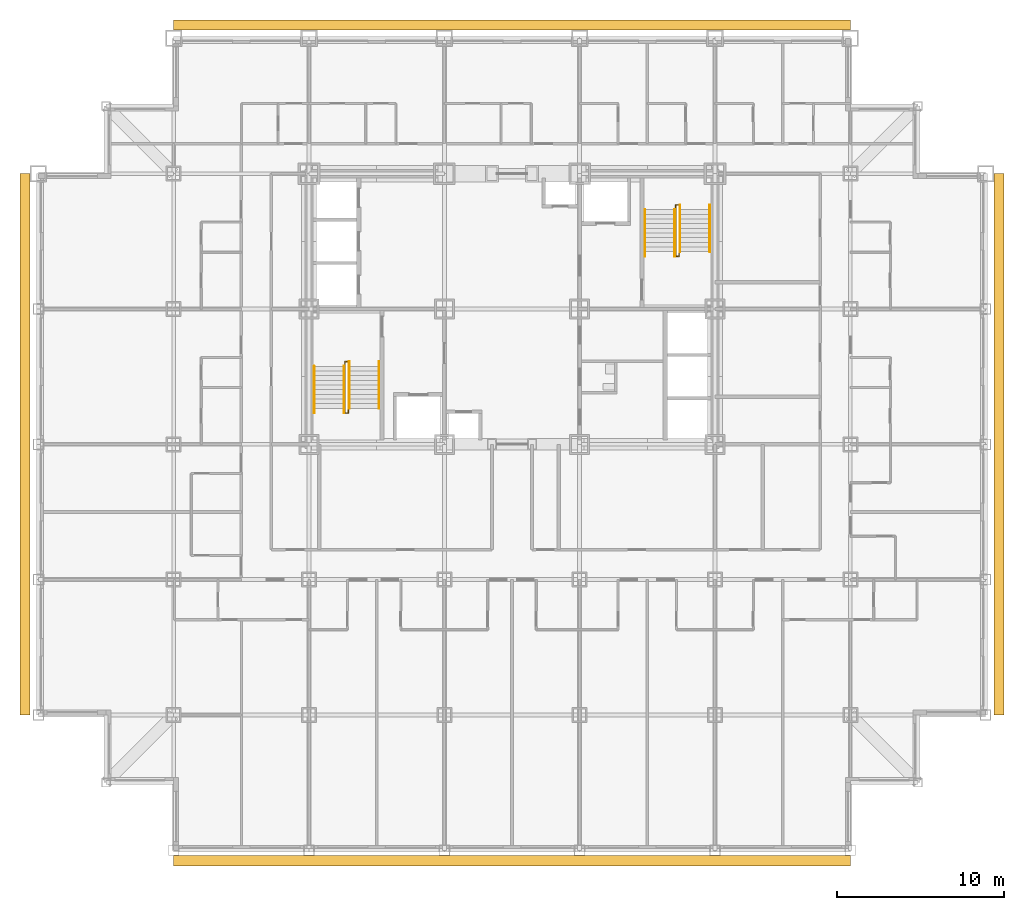
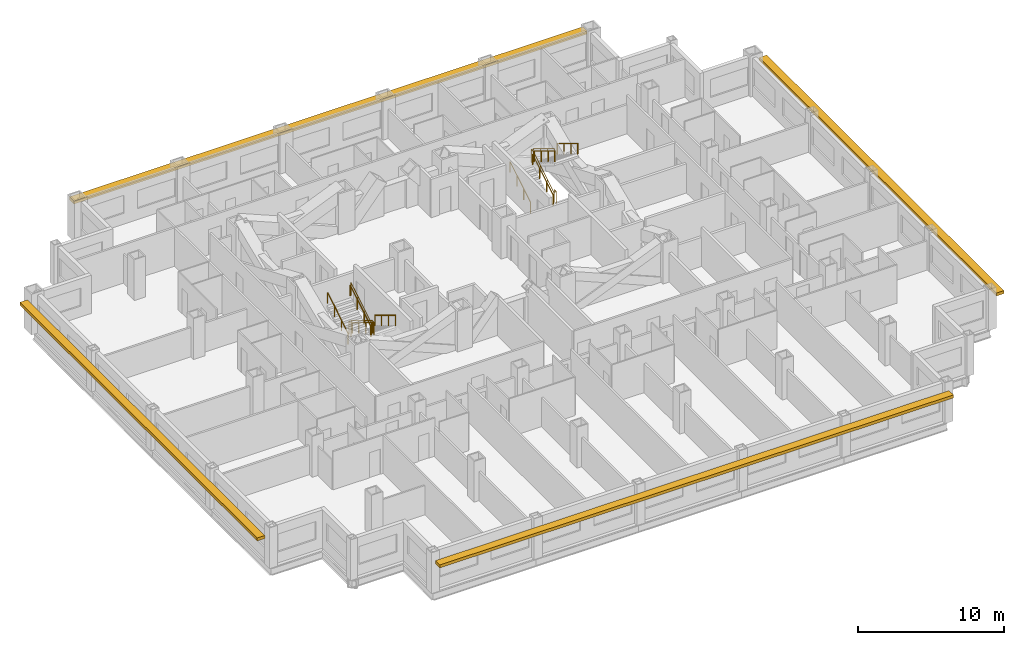
# One storey, part 11 of 12: 10 railings, 4 shading devices.
"""IFC4 building model written with IfcOpenShell, lengths in metres."""

import ifcopenshell
import ifcopenshell.guid

model = None  # the IFC model being written
_history = None  # IfcOwnerHistory: only IFC2X3 demands one
_inside = {}  # id of a spatial element -> (the spatial element, [elements in it])
_under = {}  # id of a project, library or spatial element -> (it, [spatial elements below it])
_declared = {}  # id of a project -> (the project, [libraries it declares])
_typed = {}  # id of a type object -> (the type object, [elements of that type])
_made_of = {}  # id of a material, layer set ... -> (it, [elements and type objects made of it])


def new_model(schema):
    """Start an empty IFC model of exactly this schema.

    Asked for "IFC4X3", IfcOpenShell would pick the latest addendum, in which some entities
    have other attributes; the version numbers below select the first issue.
    IFC2X3 requires an IfcOwnerHistory on every rooted entity: one is made here for all.
    """
    global model, _history
    if schema == "IFC4X3":
        model = ifcopenshell.file(schema_version=(4, 3, 0, 0))
    else:
        model = ifcopenshell.file(schema=schema)
    _inside.clear()
    _under.clear()
    _declared.clear()
    _typed.clear()
    _made_of.clear()
    _history = None
    if model.schema == "IFC2X3":
        org = make("IfcOrganization", Name="unknown")
        user = make(
            "IfcPersonAndOrganization",
            ThePerson=make("IfcPerson", FamilyName="unknown"),
            TheOrganization=org,
        )
        app = make(
            "IfcApplication",
            ApplicationDeveloper=org,
            Version="unknown",
            ApplicationFullName="unknown",
            ApplicationIdentifier="unknown",
        )
        _history = make(
            "IfcOwnerHistory",
            OwningUser=user,
            OwningApplication=app,
            ChangeAction="ADDED",
            CreationDate=0,
        )
    return model


def make(cls, **values):
    """One entity of the class cls with the attributes given. An attribute that is None is left unset."""
    return model.create_entity(
        cls, **{name: value for name, value in values.items() if value is not None}
    )


def rooted(cls, **values):
    """An entity with a GlobalId (a new one), such as an element, a storey or a relation."""
    return make(cls, GlobalId=ifcopenshell.guid.new(), OwnerHistory=_history, **values)


def si_unit(unit_type, name, prefix=None):
    """IfcSIUnit, for example si_unit("LENGTHUNIT", "METRE", prefix="MILLI")."""
    return make("IfcSIUnit", UnitType=unit_type, Prefix=prefix, Name=name)


def assignment(units):
    """IfcUnitAssignment: the units of a project."""
    return None if units is None else make("IfcUnitAssignment", Units=units)


def point(xyz):
    """IfcCartesianPoint."""
    return None if xyz is None else make("IfcCartesianPoint", Coordinates=xyz)


def direction(xyz):
    """IfcDirection."""
    return None if xyz is None else make("IfcDirection", DirectionRatios=xyz)


def frame(location, z_axis=None, x_axis=None):
    """IfcAxis2Placement3D, a coordinate frame: its origin and axes. An axis left out is left unset."""
    return make(
        "IfcAxis2Placement3D",
        Location=point(location),
        Axis=direction(z_axis),
        RefDirection=direction(x_axis),
    )


def frame_2d(location, x_axis=None):
    """IfcAxis2Placement2D, a coordinate frame in the plane: its origin and x axis."""
    return make(
        "IfcAxis2Placement2D", Location=point(location), RefDirection=direction(x_axis)
    )


def origin():
    """The frame at (0, 0, 0) with its axes left unset."""
    return frame((0.0, 0.0, 0.0))


def origin_2d():
    """The frame at (0, 0) in the plane with its x axis left unset."""
    return frame_2d((0.0, 0.0))


def place(relative_to, where):
    """IfcLocalPlacement: puts the frame where relative to a parent placement (None: the world)."""
    return make(
        "IfcLocalPlacement", PlacementRelTo=relative_to, RelativePlacement=where
    )


def context(
    kind, dimensions, precision=None, world=None, true_north=None, identifier=None
):
    """IfcGeometricRepresentationContext, for example the 3D "Model" context."""
    return make(
        "IfcGeometricRepresentationContext",
        ContextIdentifier=identifier,
        ContextType=kind,
        CoordinateSpaceDimension=dimensions,
        Precision=precision,
        WorldCoordinateSystem=world,
        TrueNorth=true_north,
    )


def subcontext(parent, identifier, kind, view, scale=None):
    """IfcGeometricRepresentationSubContext, for example "Body" below "Model"."""
    return make(
        "IfcGeometricRepresentationSubContext",
        ContextIdentifier=identifier,
        ContextType=kind,
        ParentContext=parent,
        TargetScale=scale,
        TargetView=view,
    )


def project(units=None, contexts=None):
    """IfcProject with its units and contexts."""
    return rooted(
        "IfcProject",
        Name="project",
        RepresentationContexts=contexts,
        UnitsInContext=assignment(units),
    )


def spatial(cls, under=None, at=None, **own):
    """A site, building, storey or space (cls), placed at a placement, below another one or the project."""
    s = rooted(cls, ObjectPlacement=at, **own)
    if under is not None:
        _under.setdefault(under.id(), (under, []))[1].append(s)
    return s


def profile(cls, at=None, kind="AREA", **sizes):
    """A parametric profile (cls). Its sizes go by their IFC names, for example OverallWidth=200.0."""
    return make(cls, ProfileType=kind, Position=at, **sizes)


def rectangle(**sizes):
    """IfcRectangleProfileDef."""
    return profile("IfcRectangleProfileDef", **sizes)


def circle(**sizes):
    """IfcCircleProfileDef."""
    return profile("IfcCircleProfileDef", **sizes)


def extrude(swept, where, along, depth):
    """IfcExtrudedAreaSolid: the profile swept, set in the frame where, extruded along a direction by depth."""
    return make(
        "IfcExtrudedAreaSolid",
        SweptArea=swept,
        Position=where,
        ExtrudedDirection=direction(along),
        Depth=depth,
    )


def shape(context_of_items, identifier, shape_type, items):
    """IfcShapeRepresentation: the items that make up one representation, for example the "Body"."""
    return make(
        "IfcShapeRepresentation",
        ContextOfItems=context_of_items,
        RepresentationIdentifier=identifier,
        RepresentationType=shape_type,
        Items=items,
    )


def material(Name=None, Category=None):
    """IfcMaterial."""
    return make("IfcMaterial", Name=Name, Category=Category)


def made_of(thing, what):
    """Note that an element or type object is made of a material, layer set ...; save() writes the relation."""
    if what is not None:
        _made_of.setdefault(what.id(), (what, []))[1].append(thing)
    return thing


def type_object(cls, material=None, **own):
    """A type object (cls), such as IfcWallType, which elements share."""
    return made_of(rooted(cls, **own), material)


def element(
    cls,
    number,
    at=None,
    inside=None,
    cuts=None,
    type_object=None,
    material=None,
    context=None,
    identifier="Body",
    shape_type=None,
    held_by="IfcProductDefinitionShape",
    body=None,
    shapes=None,
    **own,
):
    """One element of the class cls, such as IfcWall. Its Tag is "e" and its number.

    at: its placement. inside: the storey or other place that contains it. cuts: it is an
    opening in that element (IfcRelVoidsElement). A single representation is given by context,
    identifier, shape_type and body (its items); several are given by shapes. held_by: the class
    of the entity that holds the representations. save() writes the other relations.
    """
    e = rooted(cls, Tag="e%d" % number, ObjectPlacement=at, **own)
    if body is not None:
        shapes = [shape(context, identifier, shape_type, body)]
    if shapes is not None:
        e.Representation = make(held_by, Representations=shapes)
    if inside is not None:
        _inside.setdefault(inside.id(), (inside, []))[1].append(e)
    if cuts is not None:
        rooted(
            "IfcRelVoidsElement", RelatingBuildingElement=cuts, RelatedOpeningElement=e
        )
    if type_object is not None:
        _typed.setdefault(type_object.id(), (type_object, []))[1].append(e)
    return made_of(e, material)


def aggregate(whole, parts):
    """IfcRelAggregates: a whole, such as a stair, and the parts it consists of."""
    return rooted("IfcRelAggregates", RelatingObject=whole, RelatedObjects=parts)


def save(model, path):
    """Write the relations noted so far, then the file.

    IfcRelAggregates (storeys below a building ...), IfcRelContainedInSpatialStructure (elements
    in a storey), IfcRelDefinesByType, IfcRelAssociatesMaterial and IfcRelDeclares: one each for
    every whole, place, type object, material and project.
    """
    for whole, parts in _under.values():
        aggregate(whole, parts)
    for where, things in _inside.values():
        rooted(
            "IfcRelContainedInSpatialStructure",
            RelatedElements=things,
            RelatingStructure=where,
        )
    for kind, things in _typed.values():
        rooted("IfcRelDefinesByType", RelatedObjects=things, RelatingType=kind)
    for what, things in _made_of.values():
        rooted("IfcRelAssociatesMaterial", RelatedObjects=things, RelatingMaterial=what)
    for by, libraries in _declared.values():
        rooted("IfcRelDeclares", RelatingContext=by, RelatedDefinitions=libraries)
    model.write(path)


model = new_model("IFC4")

# Units and contexts
model_context = context("Model", 3, precision=1e-05, world=origin(), true_north=direction((0.0, 1.0)))
body_context = subcontext(model_context, "Body", "Model", "MODEL_VIEW")
ifc_project = project(units=[si_unit("LENGTHUNIT", "METRE"), si_unit("AREAUNIT", "SQUARE_METRE"), si_unit("VOLUMEUNIT", "CUBIC_METRE"), si_unit("PLANEANGLEUNIT", "RADIAN"), si_unit("MASSUNIT", "GRAM", prefix="KILO")], contexts=[model_context])

# Site, building, storey
site_placement = place(None, origin())
site = spatial("IfcSite", under=ifc_project, at=site_placement, CompositionType="ELEMENT")
building_placement = place(site_placement, origin())
building = spatial("IfcBuilding", under=site, at=building_placement, Name="Kopane Lantern Tower", CompositionType="ELEMENT")
storey_placement = place(building_placement, frame((0.0, 0.0, 77.199951171875)))
storey = spatial("IfcBuildingStorey", under=building, at=storey_placement, Name="L19", CompositionType="ELEMENT", Elevation=77.199951171875)

# Railings
ifc_material_1 = material(Name="Steel", Category="steel")
railing_type_1 = type_object("IfcRailingType", Name="STAIR GUARD 1100", PredefinedType="GUARDRAIL", material=ifc_material_1)
railing_1_placement = place(storey_placement, frame((18.35009765625, 28.969970703125, 0.0)))
element("IfcRailing", 1, at=railing_1_placement, inside=storey, type_object=railing_type_1, Name="ST1 well guard L19", PredefinedType="GUARDRAIL", context=body_context, shape_type="SweptSolid", body=[
    extrude(circle(Radius=0.02392578125, at=origin_2d()), frame((0.0, 0.0, 1.076171875), z_axis=(0.0, 1.0, 0.0), x_axis=(-1.0, 0.0, 0.0)), (0.0, 0.0, 1.0), 0.280029296875),
    extrude(circle(Radius=0.02392578125, at=origin_2d()), frame((0.0, 0.280029296875, 1.076171875), z_axis=(1.0, 0.0, 0.0), x_axis=(0.0, 1.0, 0.0)), (0.0, 0.0, 1.0), 0.199951171875),
    extrude(circle(Radius=0.02392578125, at=origin_2d()), frame((0.199951171875, 0.280029296875, 1.076171875), z_axis=(0.0, -0.854798142509, 0.518960630071), x_axis=(1.0, 0.0, 0.0)), (0.0, 0.0, 1.0), 3.275634765625),
    extrude(circle(Radius=0.02392578125, at=origin_2d()), frame((0.199951171875, -2.52001953125, 2.77587890625), z_axis=(0.0, -1.0, 0.0), x_axis=(1.0, 0.0, 0.0)), (0.0, 0.0, 1.0), 0.280029296875),
    extrude(circle(Radius=0.02392578125, at=origin_2d()), frame((0.199951171875, -2.800048828125, 2.77587890625), z_axis=(-1.0, 0.0, 0.0), x_axis=(0.0, -1.0, 0.0)), (0.0, 0.0, 1.0), 0.199951171875),
    extrude(circle(Radius=0.02392578125, at=origin_2d()), frame((0.0, -2.800048828125, 2.77587890625), z_axis=(0.0, 0.854765079529, 0.519015085347), x_axis=(-1.0, 0.0, 0.0)), (0.0, 0.0, 1.0), 3.27587890625),
    extrude(circle(Radius=0.02099609375, at=origin_2d()), origin(), (0.0, 0.0, 1.0), 1.052001953125),
    extrude(circle(Radius=0.02099609375, at=origin_2d()), frame((0.0, 0.280029296875, 0.0)), (0.0, 0.0, 1.0), 1.052001953125),
    extrude(circle(Radius=0.02099609375, at=origin_2d()), frame((0.199951171875, 0.280029296875, 0.0)), (0.0, 0.0, 1.0), 1.052001953125),
    extrude(circle(Radius=0.02099609375, at=origin_2d()), frame((0.199951171875, -0.6533203125, 0.566650390625)), (0.0, 0.0, 1.0), 1.052001953125),
    extrude(circle(Radius=0.02099609375, at=origin_2d()), frame((0.199951171875, -1.586669921875, 1.13330078125)), (0.0, 0.0, 1.0), 1.052001953125),
    extrude(circle(Radius=0.02099609375, at=origin_2d()), frame((0.199951171875, -2.52001953125, 1.699951171875)), (0.0, 0.0, 1.0), 1.052001953125),
    extrude(circle(Radius=0.02099609375, at=origin_2d()), frame((0.199951171875, -2.800048828125, 1.699951171875)), (0.0, 0.0, 1.0), 1.052001953125),
    extrude(circle(Radius=0.02099609375, at=origin_2d()), frame((0.0, -2.800048828125, 1.699951171875)), (0.0, 0.0, 1.0), 1.052001953125),
    extrude(circle(Radius=0.02099609375, at=origin_2d()), frame((0.0, -1.86669921875, 2.2666015625)), (0.0, 0.0, 1.0), 1.052001953125),
    extrude(circle(Radius=0.02099609375, at=origin_2d()), frame((0.0, -0.933349609375, 2.83349609375)), (0.0, 0.0, 1.0), 1.052001953125),
    extrude(circle(Radius=0.02099609375, at=origin_2d()), frame((0.0, 0.0, 3.400146484375)), (0.0, 0.0, 1.0), 1.052001953125),
])
railing_2_placement = place(storey_placement, frame((38.35009765625, 35.830078125, 0.0)))
element("IfcRailing", 2, at=railing_2_placement, inside=storey, type_object=railing_type_1, Name="ST2 well guard L19", PredefinedType="GUARDRAIL", context=body_context, shape_type="SweptSolid", body=[
    extrude(circle(Radius=0.02392578125, at=origin_2d()), frame((0.0, 0.0, 1.076171875), z_axis=(0.0, -1.0, 0.0), x_axis=(1.0, 0.0, 0.0)), (0.0, 0.0, 1.0), 0.280029296875),
    extrude(circle(Radius=0.02392578125, at=origin_2d()), frame((0.0, -0.280029296875, 1.076171875), z_axis=(-1.0, 0.0, 0.0), x_axis=(0.0, -1.0, 0.0)), (0.0, 0.0, 1.0), 0.2001953125),
    extrude(circle(Radius=0.02392578125, at=origin_2d()), frame((-0.2001953125, -0.280029296875, 1.076171875), z_axis=(0.0, 0.854798142509, 0.518960630071), x_axis=(-1.0, 0.0, 0.0)), (0.0, 0.0, 1.0), 3.275634765625),
    extrude(circle(Radius=0.02392578125, at=origin_2d()), frame((-0.2001953125, 2.52001953125, 2.77587890625), z_axis=(0.0, 1.0, 0.0), x_axis=(-1.0, 0.0, 0.0)), (0.0, 0.0, 1.0), 0.27978515625),
    extrude(circle(Radius=0.02392578125, at=origin_2d()), frame((-0.2001953125, 2.7998046875, 2.77587890625), z_axis=(1.0, 0.0, 0.0), x_axis=(0.0, 1.0, 0.0)), (0.0, 0.0, 1.0), 0.2001953125),
    extrude(circle(Radius=0.02392578125, at=origin_2d()), frame((0.0, 2.7998046875, 2.77587890625), z_axis=(0.0, -0.854745001426, 0.5190481505), x_axis=(1.0, 0.0, 0.0)), (0.0, 0.0, 1.0), 3.275634765625),
    extrude(circle(Radius=0.02099609375, at=origin_2d()), origin(), (0.0, 0.0, 1.0), 1.052001953125),
    extrude(circle(Radius=0.02099609375, at=origin_2d()), frame((0.0, -0.280029296875, 0.0)), (0.0, 0.0, 1.0), 1.052001953125),
    extrude(circle(Radius=0.02099609375, at=origin_2d()), frame((-0.2001953125, -0.280029296875, 0.0)), (0.0, 0.0, 1.0), 1.052001953125),
    extrude(circle(Radius=0.02099609375, at=origin_2d()), frame((-0.2001953125, 0.6533203125, 0.566650390625)), (0.0, 0.0, 1.0), 1.052001953125),
    extrude(circle(Radius=0.02099609375, at=origin_2d()), frame((-0.2001953125, 1.586669921875, 1.13330078125)), (0.0, 0.0, 1.0), 1.052001953125),
    extrude(circle(Radius=0.02099609375, at=origin_2d()), frame((-0.2001953125, 2.52001953125, 1.699951171875)), (0.0, 0.0, 1.0), 1.052001953125),
    extrude(circle(Radius=0.02099609375, at=origin_2d()), frame((-0.2001953125, 2.7998046875, 1.699951171875)), (0.0, 0.0, 1.0), 1.052001953125),
    extrude(circle(Radius=0.02099609375, at=origin_2d()), frame((0.0, 2.7998046875, 1.699951171875)), (0.0, 0.0, 1.0), 1.052001953125),
    extrude(circle(Radius=0.02099609375, at=origin_2d()), frame((0.0, 1.866455078125, 2.2666015625)), (0.0, 0.0, 1.0), 1.052001953125),
    extrude(circle(Radius=0.02099609375, at=origin_2d()), frame((0.0, 0.933349609375, 2.83349609375)), (0.0, 0.0, 1.0), 1.052001953125),
    extrude(circle(Radius=0.02099609375, at=origin_2d()), frame((0.0, 0.0, 3.400146484375)), (0.0, 0.0, 1.0), 1.052001953125),
])
ifc_material_2 = material(Name="Steel", Category="steel")
railing_type_2 = type_object("IfcRailingType", Name="STAIR HANDRAIL 900", PredefinedType="HANDRAIL", material=ifc_material_2)
for number, where, name in (
    (3, (20.389892578125, 29.25, 0.0), "ST1 handrail L19 flight 1"),
    (4, (18.610107421875, 29.25, 0.0), "ST1 handrail L19 flight 1"),
):
    element("IfcRailing", number, at=place(storey_placement, frame(where)), inside=storey, type_object=railing_type_2, Name=name, PredefinedType="HANDRAIL", context=body_context, shape_type="SweptSolid", body=[
        extrude(circle(Radius=0.02392578125, at=origin_2d()), frame((0.0, 0.0, 0.8759765625), z_axis=(0.0, -0.854798142509, 0.518960630071), x_axis=(1.0, 0.0, 0.0)), (0.0, 0.0, 1.0), 3.275634765625),
        extrude(circle(Radius=0.02099609375, at=origin_2d()), origin(), (0.0, 0.0, 1.0), 0.851806640625),
        extrude(circle(Radius=0.02099609375, at=origin_2d()), frame((0.0, -0.933349609375, 0.566650390625)), (0.0, 0.0, 1.0), 0.851806640625),
        extrude(circle(Radius=0.02099609375, at=origin_2d()), frame((0.0, -1.86669921875, 1.13330078125)), (0.0, 0.0, 1.0), 0.851806640625),
        extrude(circle(Radius=0.02099609375, at=origin_2d()), frame((0.0, -2.800048828125, 1.699951171875)), (0.0, 0.0, 1.0), 0.851806640625),
    ])
for number, where, name in (
    (5, (16.510009765625, 26.169921875, 1.699951171875), "ST1 handrail L19 flight 2"),
    (6, (18.2900390625, 26.169921875, 1.699951171875), "ST1 handrail L19 flight 2"),
):
    element("IfcRailing", number, at=place(storey_placement, frame(where)), inside=storey, type_object=railing_type_2, Name=name, PredefinedType="HANDRAIL", context=body_context, shape_type="SweptSolid", body=[
        extrude(circle(Radius=0.02392578125, at=origin_2d()), frame((0.0, 0.0, 0.8759765625), z_axis=(0.0, 0.854765079529, 0.519015085347), x_axis=(-1.0, 0.0, 0.0)), (0.0, 0.0, 1.0), 3.27587890625),
        extrude(circle(Radius=0.02099609375, at=origin_2d()), origin(), (0.0, 0.0, 1.0), 0.851806640625),
        extrude(circle(Radius=0.02099609375, at=origin_2d()), frame((0.0, 0.933349609375, 0.566650390625)), (0.0, 0.0, 1.0), 0.851806640625),
        extrude(circle(Radius=0.02099609375, at=origin_2d()), frame((0.0, 1.86669921875, 1.133544921875)), (0.0, 0.0, 1.0), 0.851806640625),
        extrude(circle(Radius=0.02099609375, at=origin_2d()), frame((0.0, 2.800048828125, 1.7001953125)), (0.0, 0.0, 1.0), 0.851806640625),
    ])
for number, where, name in (
    (7, (36.31005859375, 35.550048828125, 0.0), "ST2 handrail L19 flight 1"),
    (8, (38.090087890625, 35.550048828125, 0.0), "ST2 handrail L19 flight 1"),
):
    element("IfcRailing", number, at=place(storey_placement, frame(where)), inside=storey, type_object=railing_type_2, Name=name, PredefinedType="HANDRAIL", context=body_context, shape_type="SweptSolid", body=[
        extrude(circle(Radius=0.02392578125, at=origin_2d()), frame((0.0, 0.0, 0.8759765625), z_axis=(0.0, 0.854798142509, 0.518960630071), x_axis=(-1.0, 0.0, 0.0)), (0.0, 0.0, 1.0), 3.275634765625),
        extrude(circle(Radius=0.02099609375, at=origin_2d()), origin(), (0.0, 0.0, 1.0), 0.851806640625),
        extrude(circle(Radius=0.02099609375, at=origin_2d()), frame((0.0, 0.933349609375, 0.566650390625)), (0.0, 0.0, 1.0), 0.851806640625),
        extrude(circle(Radius=0.02099609375, at=origin_2d()), frame((0.0, 1.86669921875, 1.13330078125)), (0.0, 0.0, 1.0), 0.851806640625),
        extrude(circle(Radius=0.02099609375, at=origin_2d()), frame((0.0, 2.800048828125, 1.699951171875)), (0.0, 0.0, 1.0), 0.851806640625),
    ])
for number, where, name in (
    (9, (40.18994140625, 38.6298828125, 1.699951171875), "ST2 handrail L19 flight 2"),
    (10, (38.409912109375, 38.6298828125, 1.699951171875), "ST2 handrail L19 flight 2"),
):
    element("IfcRailing", number, at=place(storey_placement, frame(where)), inside=storey, type_object=railing_type_2, Name=name, PredefinedType="HANDRAIL", context=body_context, shape_type="SweptSolid", body=[
        extrude(circle(Radius=0.02392578125, at=origin_2d()), frame((0.0, 0.0, 0.8759765625), z_axis=(0.0, -0.854745001426, 0.5190481505), x_axis=(1.0, 0.0, 0.0)), (0.0, 0.0, 1.0), 3.275634765625),
        extrude(circle(Radius=0.02099609375, at=origin_2d()), origin(), (0.0, 0.0, 1.0), 0.851806640625),
        extrude(circle(Radius=0.02099609375, at=origin_2d()), frame((0.0, -0.933349609375, 0.566650390625)), (0.0, 0.0, 1.0), 0.851806640625),
        extrude(circle(Radius=0.02099609375, at=origin_2d()), frame((0.0, -1.866455078125, 1.133544921875)), (0.0, 0.0, 1.0), 0.851806640625),
        extrude(circle(Radius=0.02099609375, at=origin_2d()), frame((0.0, -2.7998046875, 1.7001953125)), (0.0, 0.0, 1.0), 0.851806640625),
    ])

# Shading devices
ifc_material_3 = material(Name="Terracotta rainscreen on light steel framing", Category="masonry")
shading_device_type = type_object("IfcShadingDeviceType", Name="SUNSHADE BAND SB1 600 TERRACOTTA", PredefinedType="USERDEFINED", material=ifc_material_3)
shading_device_1_placement = place(storey_placement, frame((28.35009765625, -0.625, 2.400146484375), z_axis=(0.0, 0.0, 1.0), x_axis=(1.0, 0.0, 0.0)))
element("IfcShadingDevice", 11, at=shading_device_1_placement, inside=storey, type_object=shading_device_type, Name="Sunshade band S L19", ObjectType="SUNSHADE BAND", PredefinedType="USERDEFINED", context=body_context, shape_type="SweptSolid", body=[
    extrude(rectangle(XDim=40.5, YDim=0.60009765625, at=origin_2d()), origin(), (0.0, 0.0, 1.0), 0.25),
])
shading_device_2_placement = place(storey_placement, frame((57.5, 24.300048828125, 2.400146484375), z_axis=(0.0, 0.0, 1.0), x_axis=(0.0, 1.0, 0.0)))
element("IfcShadingDevice", 12, at=shading_device_2_placement, inside=storey, type_object=shading_device_type, Name="Sunshade band E L19", ObjectType="SUNSHADE BAND", PredefinedType="USERDEFINED", context=body_context, shape_type="SweptSolid", body=[
    extrude(rectangle(XDim=32.39990234375, YDim=0.60009765625, at=origin_2d()), origin(), (0.0, 0.0, 1.0), 0.25),
])
shading_device_3_placement = place(storey_placement, frame((28.35009765625, 49.39990234375, 2.400146484375), z_axis=(0.0, 0.0, 1.0), x_axis=(-1.0, 0.0, 0.0)))
element("IfcShadingDevice", 13, at=shading_device_3_placement, inside=storey, type_object=shading_device_type, Name="Sunshade band N L19", ObjectType="SUNSHADE BAND", PredefinedType="USERDEFINED", context=body_context, shape_type="SweptSolid", body=[
    extrude(rectangle(XDim=40.5, YDim=0.60009765625, at=origin_2d()), origin(), (0.0, 0.0, 1.0), 0.25),
])
shading_device_4_placement = place(storey_placement, frame((-0.800048828125, 24.300048828125, 2.400146484375), z_axis=(0.0, 0.0, 1.0), x_axis=(0.0, -1.0, 0.0)))
element("IfcShadingDevice", 14, at=shading_device_4_placement, inside=storey, type_object=shading_device_type, Name="Sunshade band W L19", ObjectType="SUNSHADE BAND", PredefinedType="USERDEFINED", context=body_context, shape_type="SweptSolid", body=[
    extrude(rectangle(XDim=32.39990234375, YDim=0.60009765625, at=origin_2d()), origin(), (0.0, 0.0, 1.0), 0.25),
])

save(model, "model.ifc")
